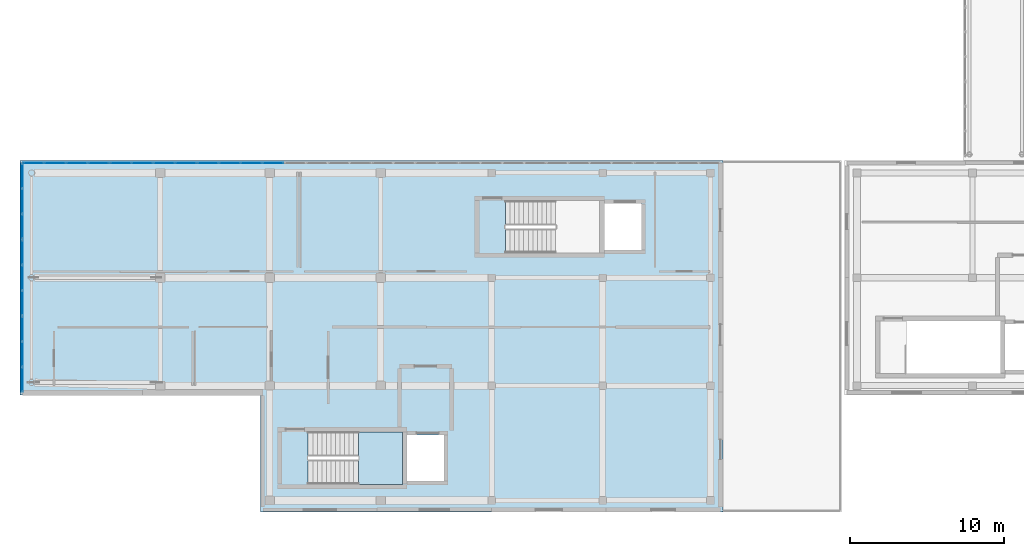
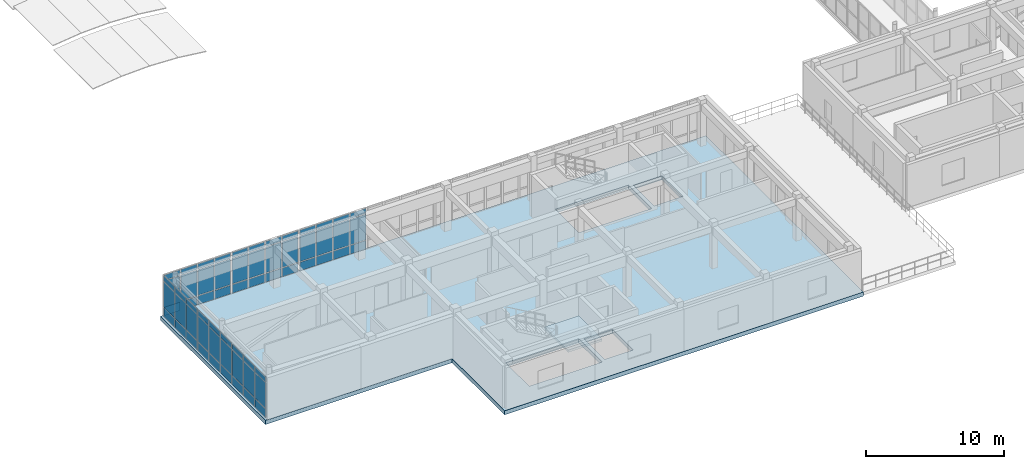
# One storey, part 35 of 52: 63 plates, 2 slabs, 7 elements without a shape of their own.
"""IFC4 building model written with IfcOpenShell, lengths in metres."""

from ifc_helpers import new_model, si_unit, direction, frame, origin, origin_2d, place, context, subcontext, project, spatial, polyline, rectangle, outline, extrude, material, layer, layer_set, type_object, element, aggregate, save


model = new_model("IFC4")

# Units and contexts
model_context = context("Model", 3, precision=1e-05, world=origin(), true_north=direction((0.0, 1.0)))
body_context = subcontext(model_context, "Body", "Model", "MODEL_VIEW")
ifc_project = project(units=[si_unit("LENGTHUNIT", "METRE"), si_unit("AREAUNIT", "SQUARE_METRE"), si_unit("VOLUMEUNIT", "CUBIC_METRE"), si_unit("PLANEANGLEUNIT", "RADIAN"), si_unit("MASSUNIT", "GRAM", prefix="KILO")], contexts=[model_context])

# Site, building, storey
site_placement = place(None, origin())
site = spatial("IfcSite", under=ifc_project, at=site_placement, CompositionType="ELEMENT")
building_placement = place(site_placement, origin())
building = spatial("IfcBuilding", under=site, at=building_placement, Name="Valcora Specialist Clinic", CompositionType="ELEMENT")
storey_placement = place(building_placement, frame((0.0, 0.0, 17.679931640625)))
storey = spatial("IfcBuildingStorey", under=building, at=storey_placement, Name="L04", CompositionType="ELEMENT", Elevation=17.679931640625)

# Curtain wall, plates
ifc_material_1 = material(Name="Anodized Bronze Aluminium 6063-T6", Category="aluminium")
ifc_layer_1 = layer(ifc_material_1, 0.175048828125)
ifc_layer_set_1 = layer_set([ifc_layer_1], Name="Anodized Bronze Aluminium 6063-T6")
curtain_wall_type = type_object("IfcCurtainWallType", Name="TY-CW-V5F15", PredefinedType="NOTDEFINED", material=ifc_layer_set_1)
curtain_wall_1_placement = place(storey_placement, origin())
curtain_wall_1 = element("IfcCurtainWall", 1, at=curtain_wall_1_placement, inside=storey, type_object=curtain_wall_type, Name="Curtain wall CW-L04-164", PredefinedType="NOTDEFINED")
ifc_material_2 = material(Name="Low-E Laminated Insulating Glass", Category="glass")
ifc_layer_2 = layer(ifc_material_2, 0.028076171875)
ifc_layer_set_2 = layer_set([ifc_layer_2], Name="Low-E Laminated Insulating Glass")
plate_type_1 = type_object("IfcPlateType", Name="TY-CWP-GLZ28", PredefinedType="CURTAIN_PANEL", material=ifc_layer_set_2)
plate_1_placement = place(storey_placement, frame((0.14990234375, 8.593994140625, 0.882568359375), z_axis=(0.0, 0.0, 1.0), x_axis=(0.0, 1.0, 0.0)))
plate_1 = element("IfcPlate", 2, at=plate_1_placement, type_object=plate_type_1, Name="CW-V5F-15 panel 1.2", PredefinedType="CURTAIN_PANEL", context=body_context, shape_type="SweptSolid", body=[
    extrude(rectangle(XDim=1.55810546875, YDim=0.028076171875, at=origin_2d()), origin(), (0.0, 0.0, 1.0), 2.2548828125),
])
plate_2_placement = place(storey_placement, frame((0.14990234375, 8.593994140625, 3.20263671875), z_axis=(0.0, 0.0, 1.0), x_axis=(0.0, 1.0, 0.0)))
plate_2 = element("IfcPlate", 3, at=plate_2_placement, type_object=plate_type_1, Name="CW-V5F-15 panel 1.3", PredefinedType="CURTAIN_PANEL", context=body_context, shape_type="SweptSolid", body=[
    extrude(rectangle(XDim=1.55810546875, YDim=0.028076171875, at=origin_2d()), origin(), (0.0, 0.0, 1.0), 0.452392578125),
])
plate_3_placement = place(storey_placement, frame((0.14990234375, 10.2333984375, 0.882568359375), z_axis=(0.0, 0.0, 1.0), x_axis=(0.0, 1.0, 0.0)))
plate_3 = element("IfcPlate", 4, at=plate_3_placement, type_object=plate_type_1, Name="CW-V5F-15 panel 2.2", PredefinedType="CURTAIN_PANEL", context=body_context, shape_type="SweptSolid", body=[
    extrude(rectangle(XDim=1.590576171875, YDim=0.028076171875, at=origin_2d()), origin(), (0.0, 0.0, 1.0), 2.2548828125),
])
plate_4_placement = place(storey_placement, frame((0.14990234375, 10.2333984375, 3.20263671875), z_axis=(0.0, 0.0, 1.0), x_axis=(0.0, 1.0, 0.0)))
plate_4 = element("IfcPlate", 5, at=plate_4_placement, type_object=plate_type_1, Name="CW-V5F-15 panel 2.3", PredefinedType="CURTAIN_PANEL", context=body_context, shape_type="SweptSolid", body=[
    extrude(rectangle(XDim=1.590576171875, YDim=0.028076171875, at=origin_2d()), origin(), (0.0, 0.0, 1.0), 0.452392578125),
])
plate_5_placement = place(storey_placement, frame((0.14990234375, 11.87255859375, 0.882568359375), z_axis=(0.0, 0.0, 1.0), x_axis=(0.0, 1.0, 0.0)))
plate_5 = element("IfcPlate", 6, at=plate_5_placement, type_object=plate_type_1, Name="CW-V5F-15 panel 3.2", PredefinedType="CURTAIN_PANEL", context=body_context, shape_type="SweptSolid", body=[
    extrude(rectangle(XDim=1.55810546875, YDim=0.028076171875, at=origin_2d()), origin(), (0.0, 0.0, 1.0), 2.2548828125),
])
plate_6_placement = place(storey_placement, frame((0.14990234375, 11.87255859375, 3.20263671875), z_axis=(0.0, 0.0, 1.0), x_axis=(0.0, 1.0, 0.0)))
plate_6 = element("IfcPlate", 7, at=plate_6_placement, type_object=plate_type_1, Name="CW-V5F-15 panel 3.3", PredefinedType="CURTAIN_PANEL", context=body_context, shape_type="SweptSolid", body=[
    extrude(rectangle(XDim=1.55810546875, YDim=0.028076171875, at=origin_2d()), origin(), (0.0, 0.0, 1.0), 0.452392578125),
])

curtain_wall_2_placement = place(storey_placement, origin())
curtain_wall_2 = element("IfcCurtainWall", 8, at=curtain_wall_2_placement, inside=storey, type_object=curtain_wall_type, Name="Curtain wall CW-L04-166", PredefinedType="NOTDEFINED")
plate_7_placement = place(storey_placement, frame((0.14990234375, 18.52734375, 0.882568359375), z_axis=(0.0, 0.0, 1.0), x_axis=(0.0, 1.0, 0.0)))
plate_7 = element("IfcPlate", 9, at=plate_7_placement, type_object=plate_type_1, Name="CW-V5F-15 panel 1.2", PredefinedType="CURTAIN_PANEL", context=body_context, shape_type="SweptSolid", body=[
    extrude(rectangle(XDim=1.55810546875, YDim=0.028076171875, at=origin_2d()), origin(), (0.0, 0.0, 1.0), 2.2548828125),
])
plate_8_placement = place(storey_placement, frame((0.14990234375, 18.52734375, 3.20263671875), z_axis=(0.0, 0.0, 1.0), x_axis=(0.0, 1.0, 0.0)))
plate_8 = element("IfcPlate", 10, at=plate_8_placement, type_object=plate_type_1, Name="CW-V5F-15 panel 1.3", PredefinedType="CURTAIN_PANEL", context=body_context, shape_type="SweptSolid", body=[
    extrude(rectangle(XDim=1.55810546875, YDim=0.028076171875, at=origin_2d()), origin(), (0.0, 0.0, 1.0), 0.452392578125),
])
plate_9_placement = place(storey_placement, frame((0.14990234375, 20.166748046875, 0.882568359375), z_axis=(0.0, 0.0, 1.0), x_axis=(0.0, 1.0, 0.0)))
plate_9 = element("IfcPlate", 11, at=plate_9_placement, type_object=plate_type_1, Name="CW-V5F-15 panel 2.2", PredefinedType="CURTAIN_PANEL", context=body_context, shape_type="SweptSolid", body=[
    extrude(rectangle(XDim=1.590576171875, YDim=0.028076171875, at=origin_2d()), origin(), (0.0, 0.0, 1.0), 2.2548828125),
])
plate_10_placement = place(storey_placement, frame((0.14990234375, 20.166748046875, 3.20263671875), z_axis=(0.0, 0.0, 1.0), x_axis=(0.0, 1.0, 0.0)))
plate_10 = element("IfcPlate", 12, at=plate_10_placement, type_object=plate_type_1, Name="CW-V5F-15 panel 2.3", PredefinedType="CURTAIN_PANEL", context=body_context, shape_type="SweptSolid", body=[
    extrude(rectangle(XDim=1.590576171875, YDim=0.028076171875, at=origin_2d()), origin(), (0.0, 0.0, 1.0), 0.452392578125),
])
plate_11_placement = place(storey_placement, frame((0.14990234375, 21.805908203125, 0.882568359375), z_axis=(0.0, 0.0, 1.0), x_axis=(0.0, 1.0, 0.0)))
plate_11 = element("IfcPlate", 13, at=plate_11_placement, type_object=plate_type_1, Name="CW-V5F-15 panel 3.2", PredefinedType="CURTAIN_PANEL", context=body_context, shape_type="SweptSolid", body=[
    extrude(rectangle(XDim=1.55810546875, YDim=0.028076171875, at=origin_2d()), origin(), (0.0, 0.0, 1.0), 2.2548828125),
])
plate_12_placement = place(storey_placement, frame((0.14990234375, 21.805908203125, 3.20263671875), z_axis=(0.0, 0.0, 1.0), x_axis=(0.0, 1.0, 0.0)))
plate_12 = element("IfcPlate", 14, at=plate_12_placement, type_object=plate_type_1, Name="CW-V5F-15 panel 3.3", PredefinedType="CURTAIN_PANEL", context=body_context, shape_type="SweptSolid", body=[
    extrude(rectangle(XDim=1.55810546875, YDim=0.028076171875, at=origin_2d()), origin(), (0.0, 0.0, 1.0), 0.452392578125),
])

curtain_wall_3_placement = place(storey_placement, origin())
curtain_wall_3 = element("IfcCurtainWall", 15, at=curtain_wall_3_placement, inside=storey, type_object=curtain_wall_type, Name="Curtain wall CW-L04-168", PredefinedType="NOTDEFINED")
plate_13_placement = place(storey_placement, frame((6.53662109375, 22.64990234375, 0.882568359375), z_axis=(0.0, 0.0, 1.0), x_axis=(1.0, 0.0, 0.0)))
plate_13 = element("IfcPlate", 16, at=plate_13_placement, type_object=plate_type_1, Name="CW-V5F-15 panel 1.2", PredefinedType="CURTAIN_PANEL", context=body_context, shape_type="SweptSolid", body=[
    extrude(rectangle(XDim=1.318115234375, YDim=0.028076171875, at=origin_2d()), origin(), (0.0, 0.0, 1.0), 2.2548828125),
])
plate_14_placement = place(storey_placement, frame((6.53662109375, 22.64990234375, 3.20263671875), z_axis=(0.0, 0.0, 1.0), x_axis=(1.0, 0.0, 0.0)))
plate_14 = element("IfcPlate", 17, at=plate_14_placement, type_object=plate_type_1, Name="CW-V5F-15 panel 1.3", PredefinedType="CURTAIN_PANEL", context=body_context, shape_type="SweptSolid", body=[
    extrude(rectangle(XDim=1.318115234375, YDim=0.028076171875, at=origin_2d()), origin(), (0.0, 0.0, 1.0), 0.452392578125),
])
plate_15_placement = place(storey_placement, frame((7.93603515625, 22.64990234375, 0.882568359375), z_axis=(0.0, 0.0, 1.0), x_axis=(1.0, 0.0, 0.0)))
plate_15 = element("IfcPlate", 18, at=plate_15_placement, type_object=plate_type_1, Name="CW-V5F-15 panel 2.2", PredefinedType="CURTAIN_PANEL", context=body_context, shape_type="SweptSolid", body=[
    extrude(rectangle(XDim=1.3505859375, YDim=0.028076171875, at=origin_2d()), origin(), (0.0, 0.0, 1.0), 2.2548828125),
])
plate_16_placement = place(storey_placement, frame((7.93603515625, 22.64990234375, 3.20263671875), z_axis=(0.0, 0.0, 1.0), x_axis=(1.0, 0.0, 0.0)))
plate_16 = element("IfcPlate", 19, at=plate_16_placement, type_object=plate_type_1, Name="CW-V5F-15 panel 2.3", PredefinedType="CURTAIN_PANEL", context=body_context, shape_type="SweptSolid", body=[
    extrude(rectangle(XDim=1.3505859375, YDim=0.028076171875, at=origin_2d()), origin(), (0.0, 0.0, 1.0), 0.452392578125),
])
plate_17_placement = place(storey_placement, frame((9.3515625, 22.64990234375, 0.882568359375), z_axis=(0.0, 0.0, 1.0), x_axis=(1.0, 0.0, 0.0)))
plate_17 = element("IfcPlate", 20, at=plate_17_placement, type_object=plate_type_1, Name="CW-V5F-15 panel 3.2", PredefinedType="CURTAIN_PANEL", context=body_context, shape_type="SweptSolid", body=[
    extrude(rectangle(XDim=1.3505859375, YDim=0.028076171875, at=origin_2d()), origin(), (0.0, 0.0, 1.0), 2.2548828125),
])
plate_18_placement = place(storey_placement, frame((9.3515625, 22.64990234375, 3.20263671875), z_axis=(0.0, 0.0, 1.0), x_axis=(1.0, 0.0, 0.0)))
plate_18 = element("IfcPlate", 21, at=plate_18_placement, type_object=plate_type_1, Name="CW-V5F-15 panel 3.3", PredefinedType="CURTAIN_PANEL", context=body_context, shape_type="SweptSolid", body=[
    extrude(rectangle(XDim=1.3505859375, YDim=0.028076171875, at=origin_2d()), origin(), (0.0, 0.0, 1.0), 0.452392578125),
])
plate_19_placement = place(storey_placement, frame((10.7509765625, 22.64990234375, 0.882568359375), z_axis=(0.0, 0.0, 1.0), x_axis=(1.0, 0.0, 0.0)))
plate_19 = element("IfcPlate", 22, at=plate_19_placement, type_object=plate_type_1, Name="CW-V5F-15 panel 4.2", PredefinedType="CURTAIN_PANEL", context=body_context, shape_type="SweptSolid", body=[
    extrude(rectangle(XDim=1.318115234375, YDim=0.028076171875, at=origin_2d()), origin(), (0.0, 0.0, 1.0), 2.2548828125),
])
plate_20_placement = place(storey_placement, frame((10.7509765625, 22.64990234375, 3.20263671875), z_axis=(0.0, 0.0, 1.0), x_axis=(1.0, 0.0, 0.0)))
plate_20 = element("IfcPlate", 23, at=plate_20_placement, type_object=plate_type_1, Name="CW-V5F-15 panel 4.3", PredefinedType="CURTAIN_PANEL", context=body_context, shape_type="SweptSolid", body=[
    extrude(rectangle(XDim=1.318115234375, YDim=0.028076171875, at=origin_2d()), origin(), (0.0, 0.0, 1.0), 0.452392578125),
])

curtain_wall_4_placement = place(storey_placement, origin())
curtain_wall_4 = element("IfcCurtainWall", 24, at=curtain_wall_4_placement, inside=storey, type_object=curtain_wall_type, Name="Curtain wall CW-L04-165", PredefinedType="NOTDEFINED")
ifc_layer_3 = layer(ifc_material_2, 0.033935546875)
ifc_layer_set_3 = layer_set([ifc_layer_3], Name="Low-E Laminated Insulating Glass")
plate_type_2 = type_object("IfcPlateType", Name="TY-CWP-GLZ34", PredefinedType="CURTAIN_PANEL", material=ifc_layer_set_3)
plate_21_placement = place(storey_placement, frame((0.14990234375, 13.560791015625, 0.882568359375), z_axis=(0.0, 0.0, 1.0), x_axis=(0.0, 1.0, 0.0)))
plate_21 = element("IfcPlate", 25, at=plate_21_placement, type_object=plate_type_2, Name="CW-V5F-15 panel 1.2", PredefinedType="CURTAIN_PANEL", context=body_context, shape_type="SweptSolid", body=[
    extrude(rectangle(XDim=1.55810546875, YDim=0.033935546875, at=origin_2d()), origin(), (0.0, 0.0, 1.0), 2.2548828125),
])
plate_22_placement = place(storey_placement, frame((0.14990234375, 13.560791015625, 3.20263671875), z_axis=(0.0, 0.0, 1.0), x_axis=(0.0, 1.0, 0.0)))
plate_22 = element("IfcPlate", 26, at=plate_22_placement, type_object=plate_type_2, Name="CW-V5F-15 panel 1.3", PredefinedType="CURTAIN_PANEL", context=body_context, shape_type="SweptSolid", body=[
    extrude(rectangle(XDim=1.55810546875, YDim=0.033935546875, at=origin_2d()), origin(), (0.0, 0.0, 1.0), 0.452392578125),
])
plate_23_placement = place(storey_placement, frame((0.14990234375, 15.199951171875, 0.882568359375), z_axis=(0.0, 0.0, 1.0), x_axis=(0.0, 1.0, 0.0)))
plate_23 = element("IfcPlate", 27, at=plate_23_placement, type_object=plate_type_2, Name="CW-V5F-15 panel 2.2", PredefinedType="CURTAIN_PANEL", context=body_context, shape_type="SweptSolid", body=[
    extrude(rectangle(XDim=1.590576171875, YDim=0.033935546875, at=origin_2d()), origin(), (0.0, 0.0, 1.0), 2.2548828125),
])
plate_24_placement = place(storey_placement, frame((0.14990234375, 15.199951171875, 3.20263671875), z_axis=(0.0, 0.0, 1.0), x_axis=(0.0, 1.0, 0.0)))
plate_24 = element("IfcPlate", 28, at=plate_24_placement, type_object=plate_type_2, Name="CW-V5F-15 panel 2.3", PredefinedType="CURTAIN_PANEL", context=body_context, shape_type="SweptSolid", body=[
    extrude(rectangle(XDim=1.590576171875, YDim=0.033935546875, at=origin_2d()), origin(), (0.0, 0.0, 1.0), 0.452392578125),
])
plate_25_placement = place(storey_placement, frame((0.14990234375, 16.83935546875, 0.882568359375), z_axis=(0.0, 0.0, 1.0), x_axis=(0.0, 1.0, 0.0)))
plate_25 = element("IfcPlate", 29, at=plate_25_placement, type_object=plate_type_2, Name="CW-V5F-15 panel 3.2", PredefinedType="CURTAIN_PANEL", context=body_context, shape_type="SweptSolid", body=[
    extrude(rectangle(XDim=1.55810546875, YDim=0.033935546875, at=origin_2d()), origin(), (0.0, 0.0, 1.0), 2.2548828125),
])
plate_26_placement = place(storey_placement, frame((0.14990234375, 16.83935546875, 3.20263671875), z_axis=(0.0, 0.0, 1.0), x_axis=(0.0, 1.0, 0.0)))
plate_26 = element("IfcPlate", 30, at=plate_26_placement, type_object=plate_type_2, Name="CW-V5F-15 panel 3.3", PredefinedType="CURTAIN_PANEL", context=body_context, shape_type="SweptSolid", body=[
    extrude(rectangle(XDim=1.55810546875, YDim=0.033935546875, at=origin_2d()), origin(), (0.0, 0.0, 1.0), 0.452392578125),
])

curtain_wall_5_placement = place(storey_placement, origin())
curtain_wall_5 = element("IfcCurtainWall", 31, at=curtain_wall_5_placement, inside=storey, type_object=curtain_wall_type, Name="Curtain wall CW-L04-167", PredefinedType="NOTDEFINED")
plate_27_placement = place(storey_placement, frame((0.8740234375, 22.64990234375, 0.882568359375), z_axis=(0.0, 0.0, 1.0), x_axis=(1.0, 0.0, 0.0)))
plate_27 = element("IfcPlate", 32, at=plate_27_placement, type_object=plate_type_2, Name="CW-V5F-15 panel 1.2", PredefinedType="CURTAIN_PANEL", context=body_context, shape_type="SweptSolid", body=[
    extrude(rectangle(XDim=1.318115234375, YDim=0.033935546875, at=origin_2d()), origin(), (0.0, 0.0, 1.0), 2.2548828125),
])
plate_28_placement = place(storey_placement, frame((0.8740234375, 22.64990234375, 3.20263671875), z_axis=(0.0, 0.0, 1.0), x_axis=(1.0, 0.0, 0.0)))
plate_28 = element("IfcPlate", 33, at=plate_28_placement, type_object=plate_type_2, Name="CW-V5F-15 panel 1.3", PredefinedType="CURTAIN_PANEL", context=body_context, shape_type="SweptSolid", body=[
    extrude(rectangle(XDim=1.318115234375, YDim=0.033935546875, at=origin_2d()), origin(), (0.0, 0.0, 1.0), 0.452392578125),
])
plate_29_placement = place(storey_placement, frame((2.2734375, 22.64990234375, 0.882568359375), z_axis=(0.0, 0.0, 1.0), x_axis=(1.0, 0.0, 0.0)))
plate_29 = element("IfcPlate", 34, at=plate_29_placement, type_object=plate_type_2, Name="CW-V5F-15 panel 2.2", PredefinedType="CURTAIN_PANEL", context=body_context, shape_type="SweptSolid", body=[
    extrude(rectangle(XDim=1.3505859375, YDim=0.033935546875, at=origin_2d()), origin(), (0.0, 0.0, 1.0), 2.2548828125),
])
plate_30_placement = place(storey_placement, frame((2.2734375, 22.64990234375, 3.20263671875), z_axis=(0.0, 0.0, 1.0), x_axis=(1.0, 0.0, 0.0)))
plate_30 = element("IfcPlate", 35, at=plate_30_placement, type_object=plate_type_2, Name="CW-V5F-15 panel 2.3", PredefinedType="CURTAIN_PANEL", context=body_context, shape_type="SweptSolid", body=[
    extrude(rectangle(XDim=1.3505859375, YDim=0.033935546875, at=origin_2d()), origin(), (0.0, 0.0, 1.0), 0.452392578125),
])
plate_31_placement = place(storey_placement, frame((3.68896484375, 22.64990234375, 0.882568359375), z_axis=(0.0, 0.0, 1.0), x_axis=(1.0, 0.0, 0.0)))
plate_31 = element("IfcPlate", 36, at=plate_31_placement, type_object=plate_type_2, Name="CW-V5F-15 panel 3.2", PredefinedType="CURTAIN_PANEL", context=body_context, shape_type="SweptSolid", body=[
    extrude(rectangle(XDim=1.3505859375, YDim=0.033935546875, at=origin_2d()), origin(), (0.0, 0.0, 1.0), 2.2548828125),
])
plate_32_placement = place(storey_placement, frame((3.68896484375, 22.64990234375, 3.20263671875), z_axis=(0.0, 0.0, 1.0), x_axis=(1.0, 0.0, 0.0)))
plate_32 = element("IfcPlate", 37, at=plate_32_placement, type_object=plate_type_2, Name="CW-V5F-15 panel 3.3", PredefinedType="CURTAIN_PANEL", context=body_context, shape_type="SweptSolid", body=[
    extrude(rectangle(XDim=1.3505859375, YDim=0.033935546875, at=origin_2d()), origin(), (0.0, 0.0, 1.0), 0.452392578125),
])
plate_33_placement = place(storey_placement, frame((5.08837890625, 22.64990234375, 0.882568359375), z_axis=(0.0, 0.0, 1.0), x_axis=(1.0, 0.0, 0.0)))
plate_33 = element("IfcPlate", 38, at=plate_33_placement, type_object=plate_type_2, Name="CW-V5F-15 panel 4.2", PredefinedType="CURTAIN_PANEL", context=body_context, shape_type="SweptSolid", body=[
    extrude(rectangle(XDim=1.318115234375, YDim=0.033935546875, at=origin_2d()), origin(), (0.0, 0.0, 1.0), 2.2548828125),
])
plate_34_placement = place(storey_placement, frame((5.08837890625, 22.64990234375, 3.20263671875), z_axis=(0.0, 0.0, 1.0), x_axis=(1.0, 0.0, 0.0)))
plate_34 = element("IfcPlate", 39, at=plate_34_placement, type_object=plate_type_2, Name="CW-V5F-15 panel 4.3", PredefinedType="CURTAIN_PANEL", context=body_context, shape_type="SweptSolid", body=[
    extrude(rectangle(XDim=1.318115234375, YDim=0.033935546875, at=origin_2d()), origin(), (0.0, 0.0, 1.0), 0.452392578125),
])

curtain_wall_6_placement = place(storey_placement, origin())
curtain_wall_6 = element("IfcCurtainWall", 40, at=curtain_wall_6_placement, inside=storey, type_object=curtain_wall_type, Name="Curtain wall CW-L04-169", PredefinedType="NOTDEFINED")
plate_35_placement = place(storey_placement, frame((12.198974609375, 22.64990234375, 0.882568359375), z_axis=(0.0, 0.0, 1.0), x_axis=(1.0, 0.0, 0.0)))
plate_35 = element("IfcPlate", 41, at=plate_35_placement, type_object=plate_type_2, Name="CW-V5F-15 panel 1.2", PredefinedType="CURTAIN_PANEL", context=body_context, shape_type="SweptSolid", body=[
    extrude(rectangle(XDim=1.318115234375, YDim=0.033935546875, at=origin_2d()), origin(), (0.0, 0.0, 1.0), 2.2548828125),
])
plate_36_placement = place(storey_placement, frame((12.198974609375, 22.64990234375, 3.20263671875), z_axis=(0.0, 0.0, 1.0), x_axis=(1.0, 0.0, 0.0)))
plate_36 = element("IfcPlate", 42, at=plate_36_placement, type_object=plate_type_2, Name="CW-V5F-15 panel 1.3", PredefinedType="CURTAIN_PANEL", context=body_context, shape_type="SweptSolid", body=[
    extrude(rectangle(XDim=1.318115234375, YDim=0.033935546875, at=origin_2d()), origin(), (0.0, 0.0, 1.0), 0.452392578125),
])
plate_37_placement = place(storey_placement, frame((13.598388671875, 22.64990234375, 0.882568359375), z_axis=(0.0, 0.0, 1.0), x_axis=(1.0, 0.0, 0.0)))
plate_37 = element("IfcPlate", 43, at=plate_37_placement, type_object=plate_type_2, Name="CW-V5F-15 panel 2.2", PredefinedType="CURTAIN_PANEL", context=body_context, shape_type="SweptSolid", body=[
    extrude(rectangle(XDim=1.3505859375, YDim=0.033935546875, at=origin_2d()), origin(), (0.0, 0.0, 1.0), 2.2548828125),
])
plate_38_placement = place(storey_placement, frame((13.598388671875, 22.64990234375, 3.20263671875), z_axis=(0.0, 0.0, 1.0), x_axis=(1.0, 0.0, 0.0)))
plate_38 = element("IfcPlate", 44, at=plate_38_placement, type_object=plate_type_2, Name="CW-V5F-15 panel 2.3", PredefinedType="CURTAIN_PANEL", context=body_context, shape_type="SweptSolid", body=[
    extrude(rectangle(XDim=1.3505859375, YDim=0.033935546875, at=origin_2d()), origin(), (0.0, 0.0, 1.0), 0.452392578125),
])
plate_39_placement = place(storey_placement, frame((15.01416015625, 22.64990234375, 0.882568359375), z_axis=(0.0, 0.0, 1.0), x_axis=(1.0, 0.0, 0.0)))
plate_39 = element("IfcPlate", 45, at=plate_39_placement, type_object=plate_type_2, Name="CW-V5F-15 panel 3.2", PredefinedType="CURTAIN_PANEL", context=body_context, shape_type="SweptSolid", body=[
    extrude(rectangle(XDim=1.3505859375, YDim=0.033935546875, at=origin_2d()), origin(), (0.0, 0.0, 1.0), 2.2548828125),
])
plate_40_placement = place(storey_placement, frame((15.01416015625, 22.64990234375, 3.20263671875), z_axis=(0.0, 0.0, 1.0), x_axis=(1.0, 0.0, 0.0)))
plate_40 = element("IfcPlate", 46, at=plate_40_placement, type_object=plate_type_2, Name="CW-V5F-15 panel 3.3", PredefinedType="CURTAIN_PANEL", context=body_context, shape_type="SweptSolid", body=[
    extrude(rectangle(XDim=1.3505859375, YDim=0.033935546875, at=origin_2d()), origin(), (0.0, 0.0, 1.0), 0.452392578125),
])
plate_41_placement = place(storey_placement, frame((16.413330078125, 22.64990234375, 0.882568359375), z_axis=(0.0, 0.0, 1.0), x_axis=(1.0, 0.0, 0.0)))
plate_41 = element("IfcPlate", 47, at=plate_41_placement, type_object=plate_type_2, Name="CW-V5F-15 panel 4.2", PredefinedType="CURTAIN_PANEL", context=body_context, shape_type="SweptSolid", body=[
    extrude(rectangle(XDim=1.318115234375, YDim=0.033935546875, at=origin_2d()), origin(), (0.0, 0.0, 1.0), 2.2548828125),
])
plate_42_placement = place(storey_placement, frame((16.413330078125, 22.64990234375, 3.20263671875), z_axis=(0.0, 0.0, 1.0), x_axis=(1.0, 0.0, 0.0)))
plate_42 = element("IfcPlate", 48, at=plate_42_placement, type_object=plate_type_2, Name="CW-V5F-15 panel 4.3", PredefinedType="CURTAIN_PANEL", context=body_context, shape_type="SweptSolid", body=[
    extrude(rectangle(XDim=1.318115234375, YDim=0.033935546875, at=origin_2d()), origin(), (0.0, 0.0, 1.0), 0.452392578125),
])

# Plate
ifc_material_3 = material(Name="Insulated Spandrel Panel")
ifc_layer_4 = layer(ifc_material_3, 0.044921875)
ifc_layer_set_4 = layer_set([ifc_layer_4], Name="Insulated Spandrel Panel")
plate_type_3 = type_object("IfcPlateType", Name="TY-CWP-SPN45", PredefinedType="SHEET", material=ifc_layer_set_4)
plate_43_placement = place(storey_placement, frame((0.14990234375, 8.593994140625, 0.065185546875), z_axis=(0.0, 0.0, 1.0), x_axis=(0.0, 1.0, 0.0)))
plate_43 = element("IfcPlate", 49, at=plate_43_placement, type_object=plate_type_3, Name="CW-V5F-15 panel 1.1", PredefinedType="SHEET", context=body_context, shape_type="SweptSolid", body=[
    extrude(rectangle(XDim=1.55810546875, YDim=0.044921875, at=origin_2d()), origin(), (0.0, 0.0, 1.0), 0.75244140625),
])

plate_44_placement = place(storey_placement, frame((0.14990234375, 10.2333984375, 0.065185546875), z_axis=(0.0, 0.0, 1.0), x_axis=(0.0, 1.0, 0.0)))
plate_44 = element("IfcPlate", 50, at=plate_44_placement, type_object=plate_type_3, Name="CW-V5F-15 panel 2.1", PredefinedType="SHEET", context=body_context, shape_type="SweptSolid", body=[
    extrude(rectangle(XDim=1.590576171875, YDim=0.044921875, at=origin_2d()), origin(), (0.0, 0.0, 1.0), 0.75244140625),
])

plate_45_placement = place(storey_placement, frame((0.14990234375, 11.87255859375, 0.065185546875), z_axis=(0.0, 0.0, 1.0), x_axis=(0.0, 1.0, 0.0)))
plate_45 = element("IfcPlate", 51, at=plate_45_placement, type_object=plate_type_3, Name="CW-V5F-15 panel 3.1", PredefinedType="SHEET", context=body_context, shape_type="SweptSolid", body=[
    extrude(rectangle(XDim=1.55810546875, YDim=0.044921875, at=origin_2d()), origin(), (0.0, 0.0, 1.0), 0.75244140625),
])

aggregate(curtain_wall_1, [plate_43, plate_1, plate_2, plate_44, plate_3, plate_4, plate_45, plate_5, plate_6])

plate_46_placement = place(storey_placement, frame((0.14990234375, 13.560791015625, 0.065185546875), z_axis=(0.0, 0.0, 1.0), x_axis=(0.0, 1.0, 0.0)))
plate_46 = element("IfcPlate", 52, at=plate_46_placement, type_object=plate_type_3, Name="CW-V5F-15 panel 1.1", PredefinedType="SHEET", context=body_context, shape_type="SweptSolid", body=[
    extrude(rectangle(XDim=1.55810546875, YDim=0.044921875, at=origin_2d()), origin(), (0.0, 0.0, 1.0), 0.75244140625),
])

plate_47_placement = place(storey_placement, frame((0.14990234375, 15.199951171875, 0.065185546875), z_axis=(0.0, 0.0, 1.0), x_axis=(0.0, 1.0, 0.0)))
plate_47 = element("IfcPlate", 53, at=plate_47_placement, type_object=plate_type_3, Name="CW-V5F-15 panel 2.1", PredefinedType="SHEET", context=body_context, shape_type="SweptSolid", body=[
    extrude(rectangle(XDim=1.590576171875, YDim=0.044921875, at=origin_2d()), origin(), (0.0, 0.0, 1.0), 0.75244140625),
])

plate_48_placement = place(storey_placement, frame((0.14990234375, 16.83935546875, 0.065185546875), z_axis=(0.0, 0.0, 1.0), x_axis=(0.0, 1.0, 0.0)))
plate_48 = element("IfcPlate", 54, at=plate_48_placement, type_object=plate_type_3, Name="CW-V5F-15 panel 3.1", PredefinedType="SHEET", context=body_context, shape_type="SweptSolid", body=[
    extrude(rectangle(XDim=1.55810546875, YDim=0.044921875, at=origin_2d()), origin(), (0.0, 0.0, 1.0), 0.75244140625),
])

aggregate(curtain_wall_4, [plate_46, plate_21, plate_22, plate_47, plate_23, plate_24, plate_48, plate_25, plate_26])

plate_49_placement = place(storey_placement, frame((0.14990234375, 18.52734375, 0.065185546875), z_axis=(0.0, 0.0, 1.0), x_axis=(0.0, 1.0, 0.0)))
plate_49 = element("IfcPlate", 55, at=plate_49_placement, type_object=plate_type_3, Name="CW-V5F-15 panel 1.1", PredefinedType="SHEET", context=body_context, shape_type="SweptSolid", body=[
    extrude(rectangle(XDim=1.55810546875, YDim=0.044921875, at=origin_2d()), origin(), (0.0, 0.0, 1.0), 0.75244140625),
])

plate_50_placement = place(storey_placement, frame((0.14990234375, 20.166748046875, 0.065185546875), z_axis=(0.0, 0.0, 1.0), x_axis=(0.0, 1.0, 0.0)))
plate_50 = element("IfcPlate", 56, at=plate_50_placement, type_object=plate_type_3, Name="CW-V5F-15 panel 2.1", PredefinedType="SHEET", context=body_context, shape_type="SweptSolid", body=[
    extrude(rectangle(XDim=1.590576171875, YDim=0.044921875, at=origin_2d()), origin(), (0.0, 0.0, 1.0), 0.75244140625),
])

plate_51_placement = place(storey_placement, frame((0.14990234375, 21.805908203125, 0.065185546875), z_axis=(0.0, 0.0, 1.0), x_axis=(0.0, 1.0, 0.0)))
plate_51 = element("IfcPlate", 57, at=plate_51_placement, type_object=plate_type_3, Name="CW-V5F-15 panel 3.1", PredefinedType="SHEET", context=body_context, shape_type="SweptSolid", body=[
    extrude(rectangle(XDim=1.55810546875, YDim=0.044921875, at=origin_2d()), origin(), (0.0, 0.0, 1.0), 0.75244140625),
])

aggregate(curtain_wall_2, [plate_49, plate_7, plate_8, plate_50, plate_9, plate_10, plate_51, plate_11, plate_12])

plate_52_placement = place(storey_placement, frame((0.8740234375, 22.64990234375, 0.065185546875), z_axis=(0.0, 0.0, 1.0), x_axis=(1.0, 0.0, 0.0)))
plate_52 = element("IfcPlate", 58, at=plate_52_placement, type_object=plate_type_3, Name="CW-V5F-15 panel 1.1", PredefinedType="SHEET", context=body_context, shape_type="SweptSolid", body=[
    extrude(rectangle(XDim=1.318115234375, YDim=0.044921875, at=origin_2d()), origin(), (0.0, 0.0, 1.0), 0.75244140625),
])

plate_53_placement = place(storey_placement, frame((2.2734375, 22.64990234375, 0.065185546875), z_axis=(0.0, 0.0, 1.0), x_axis=(1.0, 0.0, 0.0)))
plate_53 = element("IfcPlate", 59, at=plate_53_placement, type_object=plate_type_3, Name="CW-V5F-15 panel 2.1", PredefinedType="SHEET", context=body_context, shape_type="SweptSolid", body=[
    extrude(rectangle(XDim=1.3505859375, YDim=0.044921875, at=origin_2d()), origin(), (0.0, 0.0, 1.0), 0.75244140625),
])

plate_54_placement = place(storey_placement, frame((3.68896484375, 22.64990234375, 0.065185546875), z_axis=(0.0, 0.0, 1.0), x_axis=(1.0, 0.0, 0.0)))
plate_54 = element("IfcPlate", 60, at=plate_54_placement, type_object=plate_type_3, Name="CW-V5F-15 panel 3.1", PredefinedType="SHEET", context=body_context, shape_type="SweptSolid", body=[
    extrude(rectangle(XDim=1.3505859375, YDim=0.044921875, at=origin_2d()), origin(), (0.0, 0.0, 1.0), 0.75244140625),
])

plate_55_placement = place(storey_placement, frame((5.08837890625, 22.64990234375, 0.065185546875), z_axis=(0.0, 0.0, 1.0), x_axis=(1.0, 0.0, 0.0)))
plate_55 = element("IfcPlate", 61, at=plate_55_placement, type_object=plate_type_3, Name="CW-V5F-15 panel 4.1", PredefinedType="SHEET", context=body_context, shape_type="SweptSolid", body=[
    extrude(rectangle(XDim=1.318115234375, YDim=0.044921875, at=origin_2d()), origin(), (0.0, 0.0, 1.0), 0.75244140625),
])

aggregate(curtain_wall_5, [plate_52, plate_27, plate_28, plate_53, plate_29, plate_30, plate_54, plate_31, plate_32, plate_55, plate_33, plate_34])

plate_56_placement = place(storey_placement, frame((6.53662109375, 22.64990234375, 0.065185546875), z_axis=(0.0, 0.0, 1.0), x_axis=(1.0, 0.0, 0.0)))
plate_56 = element("IfcPlate", 62, at=plate_56_placement, type_object=plate_type_3, Name="CW-V5F-15 panel 1.1", PredefinedType="SHEET", context=body_context, shape_type="SweptSolid", body=[
    extrude(rectangle(XDim=1.318115234375, YDim=0.044921875, at=origin_2d()), origin(), (0.0, 0.0, 1.0), 0.75244140625),
])

plate_57_placement = place(storey_placement, frame((7.93603515625, 22.64990234375, 0.065185546875), z_axis=(0.0, 0.0, 1.0), x_axis=(1.0, 0.0, 0.0)))
plate_57 = element("IfcPlate", 63, at=plate_57_placement, type_object=plate_type_3, Name="CW-V5F-15 panel 2.1", PredefinedType="SHEET", context=body_context, shape_type="SweptSolid", body=[
    extrude(rectangle(XDim=1.3505859375, YDim=0.044921875, at=origin_2d()), origin(), (0.0, 0.0, 1.0), 0.75244140625),
])

plate_58_placement = place(storey_placement, frame((9.3515625, 22.64990234375, 0.065185546875), z_axis=(0.0, 0.0, 1.0), x_axis=(1.0, 0.0, 0.0)))
plate_58 = element("IfcPlate", 64, at=plate_58_placement, type_object=plate_type_3, Name="CW-V5F-15 panel 3.1", PredefinedType="SHEET", context=body_context, shape_type="SweptSolid", body=[
    extrude(rectangle(XDim=1.3505859375, YDim=0.044921875, at=origin_2d()), origin(), (0.0, 0.0, 1.0), 0.75244140625),
])

plate_59_placement = place(storey_placement, frame((10.7509765625, 22.64990234375, 0.065185546875), z_axis=(0.0, 0.0, 1.0), x_axis=(1.0, 0.0, 0.0)))
plate_59 = element("IfcPlate", 65, at=plate_59_placement, type_object=plate_type_3, Name="CW-V5F-15 panel 4.1", PredefinedType="SHEET", context=body_context, shape_type="SweptSolid", body=[
    extrude(rectangle(XDim=1.318115234375, YDim=0.044921875, at=origin_2d()), origin(), (0.0, 0.0, 1.0), 0.75244140625),
])

aggregate(curtain_wall_3, [plate_56, plate_13, plate_14, plate_57, plate_15, plate_16, plate_58, plate_17, plate_18, plate_59, plate_19, plate_20])

plate_60_placement = place(storey_placement, frame((12.198974609375, 22.64990234375, 0.065185546875), z_axis=(0.0, 0.0, 1.0), x_axis=(1.0, 0.0, 0.0)))
plate_60 = element("IfcPlate", 66, at=plate_60_placement, type_object=plate_type_3, Name="CW-V5F-15 panel 1.1", PredefinedType="SHEET", context=body_context, shape_type="SweptSolid", body=[
    extrude(rectangle(XDim=1.318115234375, YDim=0.044921875, at=origin_2d()), origin(), (0.0, 0.0, 1.0), 0.75244140625),
])

plate_61_placement = place(storey_placement, frame((13.598388671875, 22.64990234375, 0.065185546875), z_axis=(0.0, 0.0, 1.0), x_axis=(1.0, 0.0, 0.0)))
plate_61 = element("IfcPlate", 67, at=plate_61_placement, type_object=plate_type_3, Name="CW-V5F-15 panel 2.1", PredefinedType="SHEET", context=body_context, shape_type="SweptSolid", body=[
    extrude(rectangle(XDim=1.3505859375, YDim=0.044921875, at=origin_2d()), origin(), (0.0, 0.0, 1.0), 0.75244140625),
])

plate_62_placement = place(storey_placement, frame((15.01416015625, 22.64990234375, 0.065185546875), z_axis=(0.0, 0.0, 1.0), x_axis=(1.0, 0.0, 0.0)))
plate_62 = element("IfcPlate", 68, at=plate_62_placement, type_object=plate_type_3, Name="CW-V5F-15 panel 3.1", PredefinedType="SHEET", context=body_context, shape_type="SweptSolid", body=[
    extrude(rectangle(XDim=1.3505859375, YDim=0.044921875, at=origin_2d()), origin(), (0.0, 0.0, 1.0), 0.75244140625),
])

plate_63_placement = place(storey_placement, frame((16.413330078125, 22.64990234375, 0.065185546875), z_axis=(0.0, 0.0, 1.0), x_axis=(1.0, 0.0, 0.0)))
plate_63 = element("IfcPlate", 69, at=plate_63_placement, type_object=plate_type_3, Name="CW-V5F-15 panel 4.1", PredefinedType="SHEET", context=body_context, shape_type="SweptSolid", body=[
    extrude(rectangle(XDim=1.318115234375, YDim=0.044921875, at=origin_2d()), origin(), (0.0, 0.0, 1.0), 0.75244140625),
])

aggregate(curtain_wall_6, [plate_60, plate_35, plate_36, plate_61, plate_37, plate_38, plate_62, plate_39, plate_40, plate_63, plate_41, plate_42])

# Slab
ifc_material_4 = material(Name="Concrete C40/50", Category="concrete")
ifc_layer_5 = layer(ifc_material_4, 0.360107421875)
ifc_layer_set_5 = layer_set([ifc_layer_5], Name="Concrete C40/50")
slab_type_1 = type_object("IfcSlabType", Name="TY-SL-FLR360", PredefinedType="FLOOR", material=ifc_layer_set_5)
slab_1_placement = place(storey_placement, frame((0.0, 0.0, -0.35986328125)))
element("IfcSlab", 70, at=slab_1_placement, inside=storey, type_object=slab_type_1, Name="V5 L04 structural slab SL-L04-018", PredefinedType="FLOOR", context=body_context, shape_type="SweptSolid", body=[
    extrude(outline(polyline([(15.60009765625, 0.0), (45.60009765625, 0.0), (45.60009765625, 22.800048828125), (0.0, 22.800048828125), (0.0, 7.60009765625), (15.60009765625, 7.60009765625), (15.60009765625, 0.0)]), holes=[polyline([(18.70068359375, 1.800048828125), (24.800048828125, 1.800048828125), (24.800048828125, 5.199951171875), (18.70068359375, 5.199951171875), (18.70068359375, 1.800048828125)]), polyline([(25.1201171875, 2.0), (27.52001953125, 2.0), (27.52001953125, 5.0), (25.1201171875, 5.0), (25.1201171875, 2.0)]), polyline([(31.500732421875, 16.800048828125), (37.60009765625, 16.800048828125), (37.60009765625, 20.199951171875), (31.500732421875, 20.199951171875), (31.500732421875, 16.800048828125)]), polyline([(37.919921875, 17.0), (40.320068359375, 17.0), (40.320068359375, 20.0), (37.919921875, 20.0), (37.919921875, 17.0)])]), origin(), (0.0, 0.0, 1.0), 0.35986328125),
])

# Stair, slab
stair_type = type_object("IfcStairType", Name="TY-ST-DG408", PredefinedType="HALF_TURN_STAIR", material=ifc_material_4)
stair_placement = place(storey_placement, origin())
stair = element("IfcStair", 71, at=stair_placement, inside=storey, type_object=stair_type, Name="L04 Core C-V5A stair ST-V5A", PredefinedType="HALF_TURN_STAIR")
ifc_layer_6 = layer(ifc_material_4, 0.199951171875)
ifc_layer_set_6 = layer_set([ifc_layer_6], Name="Concrete C40/50")
slab_type_2 = type_object("IfcSlabType", Name="TY-SL-LND200", PredefinedType="LANDING", material=ifc_layer_set_6)
slab_2_placement = place(storey_placement, frame((0.0, 0.0, 1.840087890625)))
slab_2 = element("IfcSlab", 72, at=slab_2_placement, type_object=slab_type_2, Name="ST-V5A landing 1", PredefinedType="LANDING", context=body_context, shape_type="SweptSolid", body=[
    extrude(outline(polyline([(21.945068359375, 1.800048828125), (24.800048828125, 1.800048828125), (24.800048828125, 5.199951171875), (21.945068359375, 5.199951171875), (21.945068359375, 1.800048828125)])), origin(), (0.0, 0.0, 1.0), 0.199951171875),
])
aggregate(stair, [slab_2])

save(model, "model.ifc")
